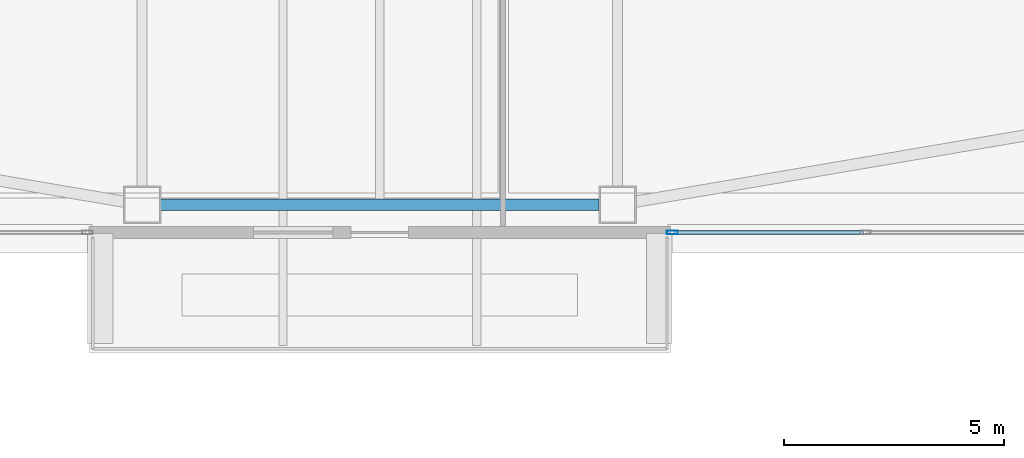
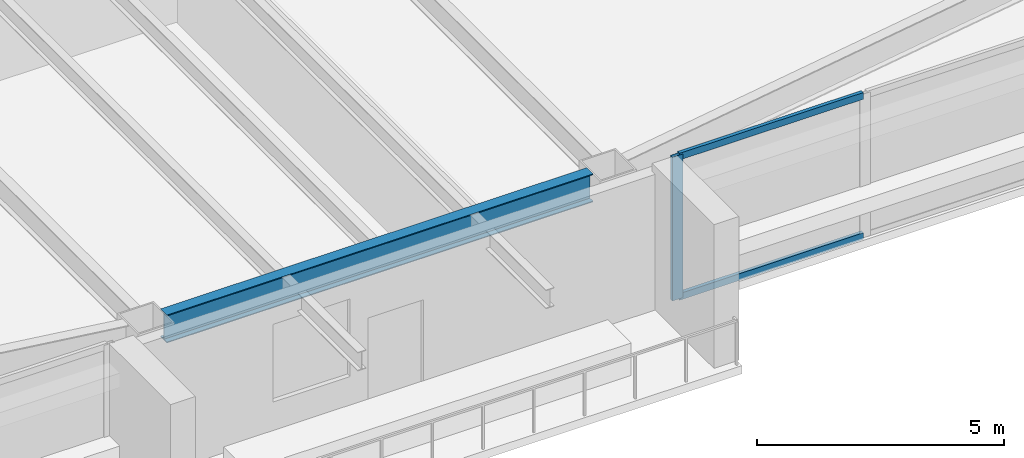
# One storey, part 5 of 46: 3 members, 1 beam, 1 element without a shape of its own.
"""IFC4 building model written with IfcOpenShell, lengths in metres."""

from ifc_helpers import new_model, si_unit, direction, frame, origin, origin_2d, place, context, subcontext, project, spatial, hollow_rectangle, i_section, extrude, material, material_profile, profile_set, type_object, element, aggregate, save


model = new_model("IFC4")

# Units and contexts
model_context = context("Model", 3, precision=1e-05, world=origin(), true_north=direction((0.0, 1.0)))
body_context = subcontext(model_context, "Body", "Model", "MODEL_VIEW")
ifc_project = project(units=[si_unit("LENGTHUNIT", "METRE"), si_unit("AREAUNIT", "SQUARE_METRE"), si_unit("VOLUMEUNIT", "CUBIC_METRE"), si_unit("PLANEANGLEUNIT", "RADIAN"), si_unit("MASSUNIT", "GRAM", prefix="KILO")], contexts=[model_context])

# Site, building, storey
site_placement = place(None, origin())
site = spatial("IfcSite", under=ifc_project, at=site_placement, CompositionType="ELEMENT")
building_placement = place(site_placement, origin())
building = spatial("IfcBuilding", under=site, at=building_placement, Name="Tashvorn Skyway Center", CompositionType="ELEMENT")
storey_placement = place(building_placement, frame((0.0, 0.0, 60.10009765625)))
storey = spatial("IfcBuildingStorey", under=building, at=storey_placement, Name="L15", CompositionType="ELEMENT", Elevation=60.10009765625)

# Beam
ifc_material_1 = material(Name="Steel ASTM A992 Grade 50", Category="steel")
ifc_material_profile_1 = material_profile(ifc_material_1, i_section(OverallWidth=0.256103515625, OverallDepth=0.693115234375, WebThickness=0.014404296875, FlangeThickness=0.023681640625, at=origin_2d()), Name="W27X114")
ifc_profile_set_1 = profile_set([ifc_material_profile_1], Name="Steel ASTM A992 Grade 50")
beam_type = type_object("IfcBeamType", Name="BM-SPANDREL-W27X114", PredefinedType="SPANDREL", material=ifc_profile_set_1)
beam_placement = place(storey_placement, frame((37.02001953125, 9.75, 3.00341796875), z_axis=(1.0, 0.0, 0.0), x_axis=(0.0, 1.0, 0.0)))
element("IfcBeam", 1, at=beam_placement, inside=storey, type_object=beam_type, Name="Tower 1 L15 Spandrel Beam 02", PredefinedType="SPANDREL", context=body_context, shape_type="SweptSolid", body=[
    extrude(i_section(OverallWidth=0.256103515625, OverallDepth=0.693115234375, WebThickness=0.014404296875, FlangeThickness=0.023681640625, at=origin_2d()), origin(), (0.0, 0.0, 1.0), 9.9599609375),
])

# Curtain wall, members
ifc_material_2 = material(Name="Thermally broken bronze-anodized aluminium 6063-T6", Category="aluminium")
curtain_wall_type = type_object("IfcCurtainWallType", Name="CW-CW-Z1", PredefinedType="NOTDEFINED", material=ifc_material_2)
curtain_wall_placement = place(storey_placement, origin())
curtain_wall = element("IfcCurtainWall", 2, at=curtain_wall_placement, inside=storey, type_object=curtain_wall_type, Name="Tower 1 L15 South Curtain Wall L Glazing Group 1", PredefinedType="NOTDEFINED")
ifc_material_profile_2 = material_profile(ifc_material_2, hollow_rectangle(XDim=0.0849609375, YDim=0.239990234375, WallThickness=0.0048828125, at=origin_2d()), Name="ALU-MULL-85x240")
ifc_profile_set_2 = profile_set([ifc_material_profile_2], Name="Thermally broken bronze-anodized aluminium 6063-T6")
member_type_1 = type_object("IfcMemberType", Name="CWM-CW-Z1", PredefinedType="MULLION", material=ifc_profile_set_2)
member_1_placement = place(storey_placement, frame((48.642578125, 9.1201171875, 0.0), z_axis=(0.0, 0.0, 1.0), x_axis=(0.0, -1.0, 0.0)))
member_1 = element("IfcMember", 3, at=member_1_placement, type_object=member_type_1, Name="CW-Z1 mullion 3", PredefinedType="MULLION", context=body_context, shape_type="SweptSolid", body=[
    extrude(hollow_rectangle(XDim=0.0849609375, YDim=0.239990234375, WallThickness=0.0048828125, at=origin_2d()), origin(), (0.0, 0.0, 1.0), 3.5498046875),
])
ifc_material_profile_3 = material_profile(ifc_material_2, hollow_rectangle(XDim=0.0849609375, YDim=0.1650390625, WallThickness=0.0048828125, at=origin_2d()), Name="ALU-TRAN-85x165")
ifc_profile_set_3 = profile_set([ifc_material_profile_3], Name="Thermally broken bronze-anodized aluminium 6063-T6")
member_type_2 = type_object("IfcMemberType", Name="CWT-CW-Z1", PredefinedType="USERDEFINED", material=ifc_profile_set_3)
member_2_placement = place(storey_placement, frame((52.984130859375, 9.1201171875, 0.04248046875), z_axis=(-1.0, 0.0, 0.0), x_axis=(0.0, -1.0, 0.0)))
member_2 = element("IfcMember", 4, at=member_2_placement, type_object=member_type_2, Name="CW-Z1 transom 2.1", ObjectType="TRANSOM", PredefinedType="USERDEFINED", context=body_context, shape_type="SweptSolid", body=[
    extrude(hollow_rectangle(XDim=0.0849609375, YDim=0.1650390625, WallThickness=0.0048828125, at=origin_2d()), origin(), (0.0, 0.0, 1.0), 4.299072265625),
])
member_3_placement = place(storey_placement, frame((52.984130859375, 9.1201171875, 3.50732421875), z_axis=(-1.0, 0.0, 0.0), x_axis=(0.0, -1.0, 0.0)))
member_3 = element("IfcMember", 5, at=member_3_placement, type_object=member_type_2, Name="CW-Z1 transom 2.2", ObjectType="TRANSOM", PredefinedType="USERDEFINED", context=body_context, shape_type="SweptSolid", body=[
    extrude(hollow_rectangle(XDim=0.0849609375, YDim=0.1650390625, WallThickness=0.0048828125, at=origin_2d()), origin(), (0.0, 0.0, 1.0), 4.299072265625),
])
aggregate(curtain_wall, [member_1, member_2, member_3])

save(model, "model.ifc")
